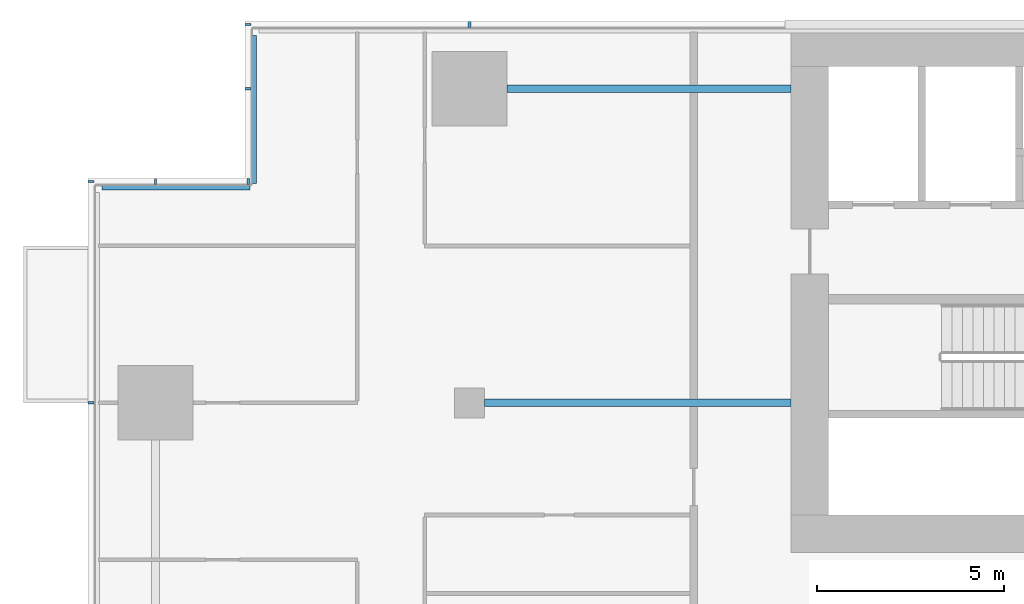
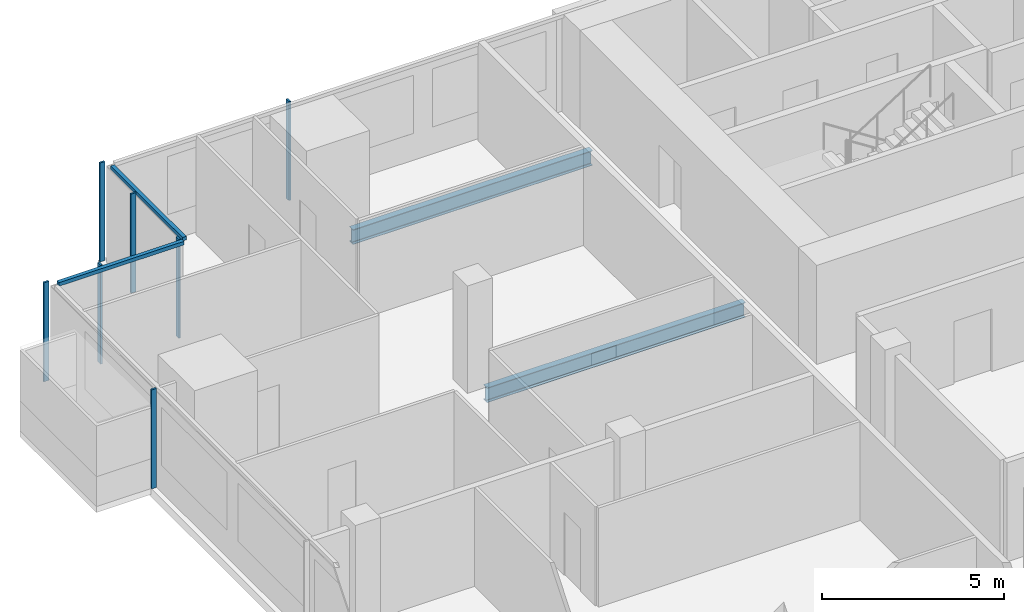
# One storey, part 8 of 29: 9 members, 2 beams, 4 elements without a shape of their own.
"""IFC4 building model written with IfcOpenShell, lengths in metres."""

from ifc_helpers import new_model, si_unit, direction, frame, origin, origin_2d, place, context, subcontext, project, spatial, rectangle, i_section, extrude, material, material_profile, profile_set, type_object, element, aggregate, save


model = new_model("IFC4")

# Units and contexts
model_context = context("Model", 3, precision=1e-05, world=origin(), true_north=direction((0.0, 1.0)))
body_context = subcontext(model_context, "Body", "Model", "MODEL_VIEW")
ifc_project = project(units=[si_unit("LENGTHUNIT", "METRE"), si_unit("AREAUNIT", "SQUARE_METRE"), si_unit("VOLUMEUNIT", "CUBIC_METRE"), si_unit("PLANEANGLEUNIT", "RADIAN"), si_unit("MASSUNIT", "GRAM", prefix="KILO")], contexts=[model_context])

# Site, building, storey
site_placement = place(None, origin())
site = spatial("IfcSite", under=ifc_project, at=site_placement, CompositionType="ELEMENT")
building_placement = place(site_placement, origin())
building = spatial("IfcBuilding", under=site, at=building_placement, Name="Saffron Gate Tower", CompositionType="ELEMENT")
storey_placement = place(building_placement, frame((0.0, 0.0, 113.25)))
storey = spatial("IfcBuildingStorey", under=building, at=storey_placement, Name="L26", CompositionType="ELEMENT", Elevation=113.25)

# Beams
ifc_material_1 = material(Name="Structural steel S355", Category="steel")
ifc_material_profile_1 = material_profile(ifc_material_1, i_section(OverallWidth=0.199951171875, OverallDepth=0.5, WebThickness=0.01025390625, FlangeThickness=0.01611328125, FilletRadius=0.02099609375, at=origin_2d()))
ifc_profile_set_1 = profile_set([ifc_material_profile_1], Name="Structural steel S355")
beam_type = type_object("IfcBeamType", Name="B10 IPE 500", PredefinedType="BEAM", material=ifc_profile_set_1)
beam_1_placement = place(storey_placement, frame((58.60009765625, 65.39990234375, -0.530029296875), z_axis=(1.0, 0.0, 0.0), x_axis=(0.0, 1.0, 0.0)))
element("IfcBeam", 1, at=beam_1_placement, inside=storey, type_object=beam_type, Name="B10 CORE TIE BEAM", PredefinedType="BEAM", context=body_context, shape_type="SweptSolid", body=[
    extrude(i_section(OverallWidth=0.199951171875, OverallDepth=0.5, WebThickness=0.01025390625, FlangeThickness=0.01611328125, FilletRadius=0.02099609375, at=origin_2d()), origin(), (0.0, 0.0, 1.0), 8.199951171875),
])
beam_2_placement = place(storey_placement, frame((59.199951171875, 73.800048828125, -0.530029296875), z_axis=(1.0, 0.0, 0.0), x_axis=(0.0, 1.0, 0.0)))
element("IfcBeam", 2, at=beam_2_placement, inside=storey, type_object=beam_type, Name="B10 CORE TIE BEAM", PredefinedType="BEAM", context=body_context, shape_type="SweptSolid", body=[
    extrude(i_section(OverallWidth=0.199951171875, OverallDepth=0.5, WebThickness=0.01025390625, FlangeThickness=0.01611328125, FilletRadius=0.02099609375, at=origin_2d()), origin(), (0.0, 0.0, 1.0), 7.60009765625),
])

# Curtain wall, members
ifc_material_2 = material(Name="Aluminium, bronze anodised", Category="aluminium")
curtain_wall_type_1 = type_object("IfcCurtainWallType", Name="CWS2 curtain wall side facades", PredefinedType="NOTDEFINED", material=ifc_material_2)
curtain_wall_1_placement = place(storey_placement, origin())
curtain_wall_1 = element("IfcCurtainWall", 3, at=curtain_wall_1_placement, inside=storey, type_object=curtain_wall_type_1, Name="CWS2 run 10", PredefinedType="NOTDEFINED")
ifc_material_profile_2 = material_profile(ifc_material_2, rectangle(XDim=0.159912109375, YDim=0.06005859375, at=origin_2d()))
ifc_profile_set_2 = profile_set([ifc_material_profile_2], Name="Aluminium, bronze anodised")
member_type_1 = type_object("IfcMemberType", Name="CWS2 mullion 60x160", PredefinedType="MULLION", material=ifc_profile_set_2)
member_1_placement = place(storey_placement, frame((48.080078125, 71.320068359375, 0.0), z_axis=(0.0, 0.0, 1.0), x_axis=(1.0, 0.0, 0.0)))
member_1 = element("IfcMember", 4, at=member_1_placement, type_object=member_type_1, Name="CWS2 mullion 1", PredefinedType="MULLION", context=body_context, shape_type="SweptSolid", body=[
    extrude(rectangle(XDim=0.159912109375, YDim=0.06005859375, at=origin_2d()), origin(), (0.0, 0.0, 1.0), 3.320068359375),
])
member_2_placement = place(storey_placement, frame((48.080078125, 65.39990234375, 0.0), z_axis=(0.0, 0.0, 1.0), x_axis=(1.0, 0.0, 0.0)))
member_2 = element("IfcMember", 5, at=member_2_placement, type_object=member_type_1, Name="CWS2 mullion 2", PredefinedType="MULLION", context=body_context, shape_type="SweptSolid", body=[
    extrude(rectangle(XDim=0.159912109375, YDim=0.06005859375, at=origin_2d()), origin(), (0.0, 0.0, 1.0), 3.320068359375),
])
aggregate(curtain_wall_1, [member_1, member_2])

# Curtain wall, member
curtain_wall_type_2 = type_object("IfcCurtainWallType", Name="CWS3 curtain wall rear facade", PredefinedType="NOTDEFINED", material=ifc_material_2)
curtain_wall_2_placement = place(storey_placement, origin())
curtain_wall_2 = element("IfcCurtainWall", 6, at=curtain_wall_2_placement, inside=storey, type_object=curtain_wall_type_2, Name="CWS3 run 7", PredefinedType="NOTDEFINED")
ifc_material_profile_3 = material_profile(ifc_material_2, rectangle(XDim=0.159912109375, YDim=0.070068359375, at=origin_2d()))
ifc_profile_set_3 = profile_set([ifc_material_profile_3], Name="Aluminium, bronze anodised")
member_type_2 = type_object("IfcMemberType", Name="CWS3 mullion 70x160", PredefinedType="MULLION", material=ifc_profile_set_3)
member_3_placement = place(storey_placement, frame((58.199951171875, 75.52001953125, 0.0), z_axis=(0.0, 0.0, 1.0), x_axis=(0.0, -1.0, 0.0)))
member_3 = element("IfcMember", 7, at=member_3_placement, type_object=member_type_2, Name="CWS3 mullion 9", PredefinedType="MULLION", context=body_context, shape_type="SweptSolid", body=[
    extrude(rectangle(XDim=0.159912109375, YDim=0.070068359375, at=origin_2d()), origin(), (0.0, 0.0, 1.0), 3.320068359375),
])
aggregate(curtain_wall_2, [member_3])

curtain_wall_type_3 = type_object("IfcCurtainWallType", Name="CWS4 curtain wall corner returns", PredefinedType="NOTDEFINED", material=ifc_material_2)
curtain_wall_3_placement = place(storey_placement, origin())
curtain_wall_3 = element("IfcCurtainWall", 8, at=curtain_wall_3_placement, inside=storey, type_object=curtain_wall_type_3, Name="CWS4 run 8", PredefinedType="NOTDEFINED")
ifc_material_profile_4 = material_profile(ifc_material_2, rectangle(XDim=0.1201171875, YDim=0.1201171875, at=origin_2d()))
ifc_profile_set_4 = profile_set([ifc_material_profile_4], Name="Aluminium, bronze anodised")
member_type_3 = type_object("IfcMemberType", Name="CWS4 head transom", PredefinedType="USERDEFINED", material=ifc_profile_set_4)
member_4_placement = place(storey_placement, frame((52.447998046875, 75.23193359375, 3.260009765625), z_axis=(0.0, -1.0, 0.0), x_axis=(1.0, 0.0, 0.0)))
member_4 = element("IfcMember", 9, at=member_4_placement, type_object=member_type_3, Name="CWS4 head transom", ObjectType="TRANSOM", PredefinedType="USERDEFINED", context=body_context, shape_type="SweptSolid", body=[
    extrude(rectangle(XDim=0.1201171875, YDim=0.1201171875, at=origin_2d()), origin(), (0.0, 0.0, 1.0), 3.9599609375),
])

curtain_wall_4_placement = place(storey_placement, origin())
curtain_wall_4 = element("IfcCurtainWall", 10, at=curtain_wall_4_placement, inside=storey, type_object=curtain_wall_type_3, Name="CWS4 run 9", PredefinedType="NOTDEFINED")
member_5_placement = place(storey_placement, frame((52.327880859375, 71.152099609375, 3.260009765625), z_axis=(-1.0, 0.0, 0.0), x_axis=(0.0, -1.0, 0.0)))
member_5 = element("IfcMember", 11, at=member_5_placement, type_object=member_type_3, Name="CWS4 head transom", ObjectType="TRANSOM", PredefinedType="USERDEFINED", context=body_context, shape_type="SweptSolid", body=[
    extrude(rectangle(XDim=0.1201171875, YDim=0.1201171875, at=origin_2d()), origin(), (0.0, 0.0, 1.0), 3.9599609375),
])

# Member
ifc_material_profile_5 = material_profile(ifc_material_2, rectangle(XDim=0.159912109375, YDim=0.06005859375, at=origin_2d()))
ifc_profile_set_5 = profile_set([ifc_material_profile_5], Name="Aluminium, bronze anodised")
member_type_4 = type_object("IfcMemberType", Name="CWS4 mullion 60x160", PredefinedType="MULLION", material=ifc_profile_set_5)
member_6_placement = place(storey_placement, frame((52.280029296875, 75.52001953125, 0.0), z_axis=(0.0, 0.0, 1.0), x_axis=(1.0, 0.0, 0.0)))
member_6 = element("IfcMember", 12, at=member_6_placement, type_object=member_type_4, Name="CWS4 mullion 1", PredefinedType="MULLION", context=body_context, shape_type="SweptSolid", body=[
    extrude(rectangle(XDim=0.159912109375, YDim=0.06005859375, at=origin_2d()), origin(), (0.0, 0.0, 1.0), 3.320068359375),
])

member_7_placement = place(storey_placement, frame((52.280029296875, 73.800048828125, 0.0), z_axis=(0.0, 0.0, 1.0), x_axis=(1.0, 0.0, 0.0)))
member_7 = element("IfcMember", 13, at=member_7_placement, type_object=member_type_4, Name="CWS4 mullion 2", PredefinedType="MULLION", context=body_context, shape_type="SweptSolid", body=[
    extrude(rectangle(XDim=0.159912109375, YDim=0.06005859375, at=origin_2d()), origin(), (0.0, 0.0, 1.0), 3.320068359375),
])

aggregate(curtain_wall_3, [member_6, member_7, member_4])

member_8_placement = place(storey_placement, frame((52.280029296875, 71.320068359375, 0.0), z_axis=(0.0, 0.0, 1.0), x_axis=(0.0, -1.0, 0.0)))
member_8 = element("IfcMember", 14, at=member_8_placement, type_object=member_type_4, Name="CWS4 mullion 1", PredefinedType="MULLION", context=body_context, shape_type="SweptSolid", body=[
    extrude(rectangle(XDim=0.159912109375, YDim=0.06005859375, at=origin_2d()), origin(), (0.0, 0.0, 1.0), 3.320068359375),
])

member_9_placement = place(storey_placement, frame((49.800048828125, 71.320068359375, 0.0), z_axis=(0.0, 0.0, 1.0), x_axis=(0.0, -1.0, 0.0)))
member_9 = element("IfcMember", 15, at=member_9_placement, type_object=member_type_4, Name="CWS4 mullion 2", PredefinedType="MULLION", context=body_context, shape_type="SweptSolid", body=[
    extrude(rectangle(XDim=0.159912109375, YDim=0.06005859375, at=origin_2d()), origin(), (0.0, 0.0, 1.0), 3.320068359375),
])

aggregate(curtain_wall_4, [member_8, member_9, member_5])

save(model, "model.ifc")
